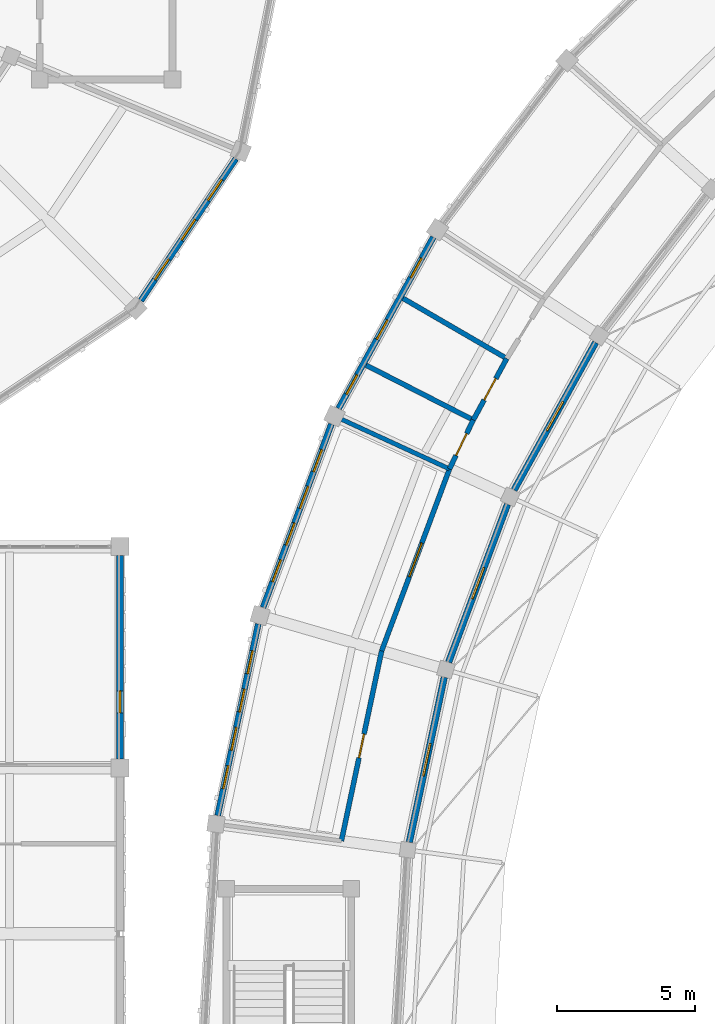
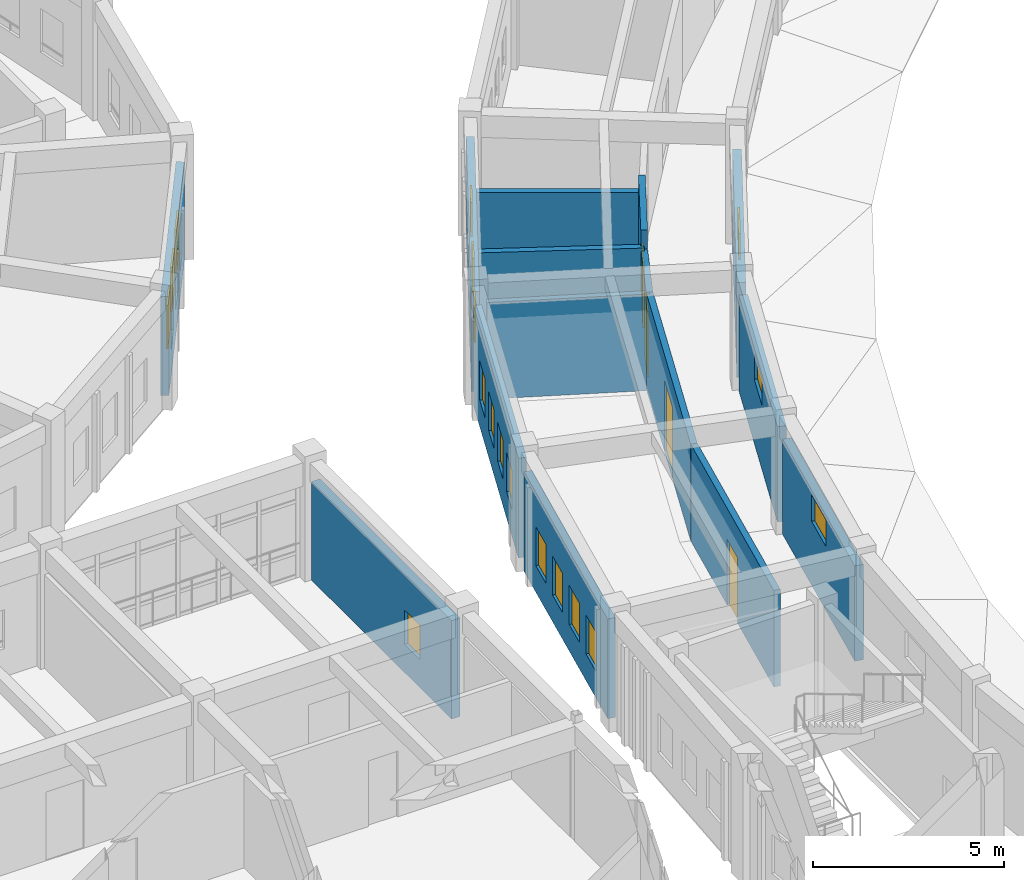
# One storey, part 85 of 112: 18 windows, 15 walls, 4 doors, 22 openings.
"""IFC4 building model written with IfcOpenShell, lengths in metres."""

from ifc_helpers import new_model, si_unit, direction, frame, frame_2d, origin, place, context, subcontext, project, spatial, rectangle, extrude, material, layer, layer_set, type_object, element, fill, save


model = new_model("IFC4")

# Units and contexts
model_context = context("Model", 3, precision=1e-05, world=origin(), true_north=direction((0.0, 1.0)))
body_context = subcontext(model_context, "Body", "Model", "MODEL_VIEW")
ifc_project = project(units=[si_unit("LENGTHUNIT", "METRE"), si_unit("AREAUNIT", "SQUARE_METRE"), si_unit("VOLUMEUNIT", "CUBIC_METRE"), si_unit("PLANEANGLEUNIT", "RADIAN"), si_unit("MASSUNIT", "GRAM", prefix="KILO")], contexts=[model_context])

# Site, building, storey
site_placement = place(None, origin())
site = spatial("IfcSite", under=ifc_project, at=site_placement, CompositionType="ELEMENT")
building_placement = place(site_placement, origin())
building = spatial("IfcBuilding", under=site, at=building_placement, Name="Celadon Cloister-Ring School", CompositionType="ELEMENT")
storey_placement = place(building_placement, frame((0.0, 0.0, 8.5)))
storey = spatial("IfcBuildingStorey", under=building, at=storey_placement, Name="L02", CompositionType="ELEMENT", Elevation=8.5)

# Wall, opening, window
ifc_material_1 = material(Name="Rendered concrete blockwork", Category="masonry")
ifc_layer_1 = layer(ifc_material_1, 0.260009765625)
ifc_layer_set_1 = layer_set([ifc_layer_1], Name="Rendered concrete blockwork")
wall_type_1 = type_object("IfcWallType", Name="WT-EX2", PredefinedType="SOLIDWALL", material=ifc_layer_set_1)
wall_1_placement = place(storey_placement, frame((32.0, 75.673095703125, 0.0), z_axis=(0.0, 0.0, 1.0), x_axis=(0.0, -1.0, 0.0)))
wall_1 = element("IfcWall", 1, at=wall_1_placement, inside=storey, type_object=wall_type_1, Name="Exterior Wall 0517", PredefinedType="SOLIDWALL", context=body_context, shape_type="SweptSolid", body=[
    extrude(rectangle(XDim=7.34619140625, YDim=0.260009765625, at=frame_2d((3.673095703125, 0.0))), origin(), (0.0, 0.0, 1.0), 3.152099609375),
])
opening_1_placement = place(wall_1_placement, frame((4.888916015625, 0.0, 0.89990234375)))
opening_1 = element("IfcOpeningElement", 2, at=opening_1_placement, cuts=wall_1, Name="Opening WN-01", PredefinedType="OPENING", context=body_context, shape_type="SweptSolid", body=[
    extrude(rectangle(XDim=0.800048828125, YDim=1.10009765625, at=frame_2d((0.39990234375, 0.550048828125))), frame((0.0, 0.14013671875, 0.0), z_axis=(0.0, -1.0, 0.0), x_axis=(1.0, 0.0, 0.0)), (0.0, 0.0, 1.0), 0.280029296875),
])
ifc_material_2 = material(Name="Tempered laminated insulating glass", Category="glass")
window_type_1 = type_object("IfcWindowType", Name="WN-01", PartitioningType="SINGLE_PANEL", PredefinedType="WINDOW", material=ifc_material_2)
window_1_placement = place(opening_1_placement, origin())
window_1 = element("IfcWindow", 3, at=window_1_placement, inside=storey, type_object=window_type_1, Name="Window 1004", OverallHeight=1.10009765625, OverallWidth=0.800048828125, PartitioningType="SINGLE_PANEL", PredefinedType="WINDOW", context=body_context, shape_type="SweptSolid", body=[
    extrude(rectangle(XDim=0.800048828125, YDim=1.10009765625, at=frame_2d((0.39990234375, 0.550048828125))), frame((0.0, 0.030029296875, 0.0), z_axis=(0.0, -1.0, 0.0), x_axis=(1.0, 0.0, 0.0)), (0.0, 0.0, 1.0), 0.06005859375),
])
fill(opening_1, window_1)

ifc_material_3 = material(Name="Rendered concrete blockwork", Category="masonry")
ifc_layer_2 = layer(ifc_material_3, 0.239990234375)
ifc_layer_set_2 = layer_set([ifc_layer_2], Name="Rendered concrete blockwork")
wall_type_2 = type_object("IfcWallType", Name="WT-EX3", PredefinedType="SOLIDWALL", material=ifc_layer_set_2)
wall_2_placement = place(storey_placement, frame((49.202880859375, 83.384033203125, 0.0), z_axis=(0.0, 0.0, 1.0), x_axis=(-0.483855739492, -0.875147772299, 0.0)))
wall_2 = element("IfcWall", 4, at=wall_2_placement, inside=storey, type_object=wall_type_2, Name="Exterior Wall 0109", PredefinedType="SOLIDWALL", context=body_context, shape_type="SweptSolid", body=[
    extrude(rectangle(XDim=6.0927734375, YDim=0.239990234375, at=frame_2d((3.04638671875, 0.0))), origin(), (0.0, 0.0, 1.0), 3.050048828125),
])
opening_2_placement = place(wall_2_placement, frame((2.446044921875, 0.0, 2.050048828125)))
opening_2 = element("IfcOpeningElement", 5, at=opening_2_placement, cuts=wall_2, Name="Opening WN-49", PredefinedType="OPENING", context=body_context, shape_type="SweptSolid", body=[
    extrude(rectangle(XDim=1.199951171875, YDim=0.85009765625, at=frame_2d((0.60009765625, 0.425048828125))), frame((0.0, 0.1298828125, 0.0), z_axis=(0.0, -1.0, 0.0), x_axis=(1.0, 0.0, 0.0)), (0.0, 0.0, 1.0), 0.260009765625),
])
ifc_material_4 = material(Name="Tempered laminated insulating glass", Category="glass")
window_type_2 = type_object("IfcWindowType", Name="WN-49", PartitioningType="SINGLE_PANEL", PredefinedType="WINDOW", material=ifc_material_4)
window_2_placement = place(opening_2_placement, origin())
window_2 = element("IfcWindow", 6, at=window_2_placement, inside=storey, type_object=window_type_2, Name="Window 0292", OverallHeight=0.85009765625, OverallWidth=1.199951171875, PartitioningType="SINGLE_PANEL", PredefinedType="WINDOW", context=body_context, shape_type="SweptSolid", body=[
    extrude(rectangle(XDim=1.199951171875, YDim=0.85009765625, at=frame_2d((0.60009765625, 0.425048828125))), frame((0.0, 0.030029296875, 0.0), z_axis=(0.0, -1.0, 0.0), x_axis=(1.0, 0.0, 0.0)), (0.0, 0.0, 1.0), 0.06005859375),
])
fill(opening_2, window_2)

wall_3_placement = place(storey_placement, frame((46.01611328125, 77.531982421875, 0.0), z_axis=(0.0, 0.0, 1.0), x_axis=(-0.349489187494, -0.936940397157, 0.0)))
wall_3 = element("IfcWall", 7, at=wall_3_placement, inside=storey, type_object=wall_type_2, Name="Exterior Wall 0111", PredefinedType="SOLIDWALL", context=body_context, shape_type="SweptSolid", body=[
    extrude(rectangle(XDim=6.09228515625, YDim=0.239990234375, at=frame_2d((3.046142578125, 0.0))), origin(), (0.0, 0.0, 1.0), 3.050048828125),
])
opening_3_placement = place(wall_3_placement, frame((2.446044921875, 0.0, 2.050048828125)))
opening_3 = element("IfcOpeningElement", 8, at=opening_3_placement, cuts=wall_3, Name="Opening WN-49", PredefinedType="OPENING", context=body_context, shape_type="SweptSolid", body=[
    extrude(rectangle(XDim=1.199951171875, YDim=0.85009765625, at=frame_2d((0.60009765625, 0.425048828125))), frame((0.0, 0.1298828125, 0.0), z_axis=(0.0, -1.0, 0.0), x_axis=(1.0, 0.0, 0.0)), (0.0, 0.0, 1.0), 0.260009765625),
])
window_3_placement = place(opening_3_placement, origin())
window_3 = element("IfcWindow", 9, at=window_3_placement, inside=storey, type_object=window_type_2, Name="Window 0297", OverallHeight=0.85009765625, OverallWidth=1.199951171875, PartitioningType="SINGLE_PANEL", PredefinedType="WINDOW", context=body_context, shape_type="SweptSolid", body=[
    extrude(rectangle(XDim=1.199951171875, YDim=0.85009765625, at=frame_2d((0.60009765625, 0.425048828125))), frame((0.0, 0.030029296875, 0.0), z_axis=(0.0, -1.0, 0.0), x_axis=(1.0, 0.0, 0.0)), (0.0, 0.0, 1.0), 0.06005859375),
])
fill(opening_3, window_3)

wall_4_placement = place(storey_placement, frame((43.72802734375, 71.27490234375, 0.0), z_axis=(0.0, 0.0, 1.0), x_axis=(-0.20720336534, -0.978297891949, 0.0)))
wall_4 = element("IfcWall", 10, at=wall_4_placement, inside=storey, type_object=wall_type_2, Name="Exterior Wall 0113", PredefinedType="SOLIDWALL", context=body_context, shape_type="SweptSolid", body=[
    extrude(rectangle(XDim=6.09521484375, YDim=0.239990234375, at=frame_2d((3.047607421875, 0.0))), origin(), (0.0, 0.0, 1.0), 3.050048828125),
])
opening_4_placement = place(wall_4_placement, frame((2.447998046875, 0.0, 2.050048828125)))
opening_4 = element("IfcOpeningElement", 11, at=opening_4_placement, cuts=wall_4, Name="Opening WN-49", PredefinedType="OPENING", context=body_context, shape_type="SweptSolid", body=[
    extrude(rectangle(XDim=1.199951171875, YDim=0.85009765625, at=frame_2d((0.60009765625, 0.425048828125))), frame((0.0, 0.1298828125, 0.0), z_axis=(0.0, -1.0, 0.0), x_axis=(1.0, 0.0, 0.0)), (0.0, 0.0, 1.0), 0.260009765625),
])
window_4_placement = place(opening_4_placement, origin())
window_4 = element("IfcWindow", 12, at=window_4_placement, inside=storey, type_object=window_type_2, Name="Window 0302", OverallHeight=0.85009765625, OverallWidth=1.199951171875, PartitioningType="SINGLE_PANEL", PredefinedType="WINDOW", context=body_context, shape_type="SweptSolid", body=[
    extrude(rectangle(XDim=1.199951171875, YDim=0.85009765625, at=frame_2d((0.60009765625, 0.425048828125))), frame((0.0, 0.030029296875, 0.0), z_axis=(0.0, -1.0, 0.0), x_axis=(1.0, 0.0, 0.0)), (0.0, 0.0, 1.0), 0.06005859375),
])
fill(opening_4, window_4)

# Wall, openings, windows
ifc_material_5 = material(Name="Perforated terracotta clay brick masonry", Category="masonry")
ifc_layer_3 = layer(ifc_material_5, 0.219970703125)
ifc_layer_set_3 = layer_set([ifc_layer_3], Name="Perforated terracotta clay brick masonry")
wall_type_3 = type_object("IfcWallType", Name="WT-EX4", PredefinedType="SOLIDWALL", material=ifc_layer_set_3)
wall_5_placement = place(storey_placement, frame((39.906982421875, 80.998046875, 0.0), z_axis=(0.0, 0.0, 1.0), x_axis=(0.483832760768, 0.875160476489, 0.0)))
wall_5 = element("IfcWall", 13, at=wall_5_placement, inside=storey, type_object=wall_type_3, Name="Exterior Wall 0108", PredefinedType="SOLIDWALL", context=body_context, shape_type="SweptSolid", body=[
    extrude(rectangle(XDim=7.0810546875, YDim=0.219970703125, at=frame_2d((3.54052734375, 0.0))), origin(), (0.0, 0.0, 1.0), 3.19189453125),
])
opening_5_placement = place(wall_5_placement, frame((0.591064453125, 0.0, 1.14990234375)))
opening_5 = element("IfcOpeningElement", 14, at=opening_5_placement, cuts=wall_5, Name="Opening WN-01", PredefinedType="OPENING", context=body_context, shape_type="SweptSolid", body=[
    extrude(rectangle(XDim=0.800048828125, YDim=1.10009765625, at=frame_2d((0.39990234375, 0.550048828125))), frame((0.0, 0.1201171875, 0.0), z_axis=(0.0, -1.0, 0.0), x_axis=(1.0, 0.0, 0.0)), (0.0, 0.0, 1.0), 0.239990234375),
])
opening_6_placement = place(wall_5_placement, frame((2.85693359375, 0.0, 1.14990234375)))
opening_6 = element("IfcOpeningElement", 15, at=opening_6_placement, cuts=wall_5, Name="Opening WN-01", PredefinedType="OPENING", context=body_context, shape_type="SweptSolid", body=[
    extrude(rectangle(XDim=0.800048828125, YDim=1.10009765625, at=frame_2d((0.39990234375, 0.550048828125))), frame((0.0, 0.1201171875, 0.0), z_axis=(0.0, -1.0, 0.0), x_axis=(1.0, 0.0, 0.0)), (0.0, 0.0, 1.0), 0.239990234375),
])
opening_7_placement = place(wall_5_placement, frame((5.406005859375, 0.0, 1.14990234375)))
opening_7 = element("IfcOpeningElement", 16, at=opening_7_placement, cuts=wall_5, Name="Opening WN-01", PredefinedType="OPENING", context=body_context, shape_type="SweptSolid", body=[
    extrude(rectangle(XDim=0.800048828125, YDim=1.10009765625, at=frame_2d((0.39990234375, 0.550048828125))), frame((0.0, 0.1201171875, 0.0), z_axis=(0.0, -1.0, 0.0), x_axis=(1.0, 0.0, 0.0)), (0.0, 0.0, 1.0), 0.239990234375),
])
window_5_placement = place(opening_5_placement, origin())
window_5 = element("IfcWindow", 17, at=window_5_placement, inside=storey, type_object=window_type_1, Name="Window 0289", OverallHeight=1.10009765625, OverallWidth=0.800048828125, PartitioningType="SINGLE_PANEL", PredefinedType="WINDOW", context=body_context, shape_type="SweptSolid", body=[
    extrude(rectangle(XDim=0.800048828125, YDim=1.10009765625, at=frame_2d((0.39990234375, 0.550048828125))), frame((0.0, 0.030029296875, 0.0), z_axis=(0.0, -1.0, 0.0), x_axis=(1.0, 0.0, 0.0)), (0.0, 0.0, 1.0), 0.06005859375),
])
fill(opening_5, window_5)
window_6_placement = place(opening_6_placement, origin())
window_6 = element("IfcWindow", 18, at=window_6_placement, inside=storey, type_object=window_type_1, Name="Window 0290", OverallHeight=1.10009765625, OverallWidth=0.800048828125, PartitioningType="SINGLE_PANEL", PredefinedType="WINDOW", context=body_context, shape_type="SweptSolid", body=[
    extrude(rectangle(XDim=0.800048828125, YDim=1.10009765625, at=frame_2d((0.39990234375, 0.550048828125))), frame((0.0, 0.030029296875, 0.0), z_axis=(0.0, -1.0, 0.0), x_axis=(1.0, 0.0, 0.0)), (0.0, 0.0, 1.0), 0.06005859375),
])
fill(opening_6, window_6)
window_7_placement = place(opening_7_placement, origin())
window_7 = element("IfcWindow", 19, at=window_7_placement, inside=storey, type_object=window_type_1, Name="Window 0291", OverallHeight=1.10009765625, OverallWidth=0.800048828125, PartitioningType="SINGLE_PANEL", PredefinedType="WINDOW", context=body_context, shape_type="SweptSolid", body=[
    extrude(rectangle(XDim=0.800048828125, YDim=1.10009765625, at=frame_2d((0.39990234375, 0.550048828125))), frame((0.0, 0.030029296875, 0.0), z_axis=(0.0, -1.0, 0.0), x_axis=(1.0, 0.0, 0.0)), (0.0, 0.0, 1.0), 0.06005859375),
])
fill(opening_7, window_7)

wall_6_placement = place(storey_placement, frame((37.174072265625, 73.799072265625, 0.0), z_axis=(0.0, 0.0, 1.0), x_axis=(0.349192123714, 0.937051151611, 0.0)))
wall_6 = element("IfcWall", 20, at=wall_6_placement, inside=storey, type_object=wall_type_3, Name="Exterior Wall 0110", PredefinedType="SOLIDWALL", context=body_context, shape_type="SweptSolid", body=[
    extrude(rectangle(XDim=7.081787109375, YDim=0.219970703125, at=frame_2d((3.541015625, 0.0))), origin(), (0.0, 0.0, 1.0), 3.19189453125),
])
opening_8_placement = place(wall_6_placement, frame((0.990966796875, 0.0, 0.85009765625)))
opening_8 = element("IfcOpeningElement", 21, at=opening_8_placement, cuts=wall_6, Name="Opening WN-11", PredefinedType="OPENING", context=body_context, shape_type="SweptSolid", body=[
    extrude(rectangle(XDim=0.85009765625, YDim=1.25, at=frame_2d((0.425048828125, 0.625))), frame((0.0, 0.1201171875, 0.0), z_axis=(0.0, -1.0, 0.0), x_axis=(1.0, 0.0, 0.0)), (0.0, 0.0, 1.0), 0.239990234375),
])
opening_9_placement = place(wall_6_placement, frame((2.407958984375, 0.0, 0.85009765625)))
opening_9 = element("IfcOpeningElement", 22, at=opening_9_placement, cuts=wall_6, Name="Opening WN-11", PredefinedType="OPENING", context=body_context, shape_type="SweptSolid", body=[
    extrude(rectangle(XDim=0.85009765625, YDim=1.25, at=frame_2d((0.425048828125, 0.625))), frame((0.0, 0.1201171875, 0.0), z_axis=(0.0, -1.0, 0.0), x_axis=(1.0, 0.0, 0.0)), (0.0, 0.0, 1.0), 0.239990234375),
])
opening_10_placement = place(wall_6_placement, frame((3.823974609375, 0.0, 0.85009765625)))
opening_10 = element("IfcOpeningElement", 23, at=opening_10_placement, cuts=wall_6, Name="Opening WN-11", PredefinedType="OPENING", context=body_context, shape_type="SweptSolid", body=[
    extrude(rectangle(XDim=0.85009765625, YDim=1.25, at=frame_2d((0.425048828125, 0.625))), frame((0.0, 0.1201171875, 0.0), z_axis=(0.0, -1.0, 0.0), x_axis=(1.0, 0.0, 0.0)), (0.0, 0.0, 1.0), 0.239990234375),
])
opening_11_placement = place(wall_6_placement, frame((5.239990234375, 0.0, 0.85009765625)))
opening_11 = element("IfcOpeningElement", 24, at=opening_11_placement, cuts=wall_6, Name="Opening WN-11", PredefinedType="OPENING", context=body_context, shape_type="SweptSolid", body=[
    extrude(rectangle(XDim=0.85009765625, YDim=1.25, at=frame_2d((0.425048828125, 0.625))), frame((0.0, 0.1201171875, 0.0), z_axis=(0.0, -1.0, 0.0), x_axis=(1.0, 0.0, 0.0)), (0.0, 0.0, 1.0), 0.239990234375),
])
ifc_material_6 = material(Name="Tempered laminated insulating glass", Category="glass")
window_type_3 = type_object("IfcWindowType", Name="WN-11", PartitioningType="SINGLE_PANEL", PredefinedType="WINDOW", material=ifc_material_6)
window_8_placement = place(opening_8_placement, origin())
window_8 = element("IfcWindow", 25, at=window_8_placement, inside=storey, type_object=window_type_3, Name="Window 0293", OverallHeight=1.25, OverallWidth=0.85009765625, PartitioningType="SINGLE_PANEL", PredefinedType="WINDOW", context=body_context, shape_type="SweptSolid", body=[
    extrude(rectangle(XDim=0.85009765625, YDim=1.25, at=frame_2d((0.425048828125, 0.625))), frame((0.0, 0.030029296875, 0.0), z_axis=(0.0, -1.0, 0.0), x_axis=(1.0, 0.0, 0.0)), (0.0, 0.0, 1.0), 0.06005859375),
])
fill(opening_8, window_8)
window_9_placement = place(opening_9_placement, origin())
window_9 = element("IfcWindow", 26, at=window_9_placement, inside=storey, type_object=window_type_3, Name="Window 0294", OverallHeight=1.25, OverallWidth=0.85009765625, PartitioningType="SINGLE_PANEL", PredefinedType="WINDOW", context=body_context, shape_type="SweptSolid", body=[
    extrude(rectangle(XDim=0.85009765625, YDim=1.25, at=frame_2d((0.425048828125, 0.625))), frame((0.0, 0.030029296875, 0.0), z_axis=(0.0, -1.0, 0.0), x_axis=(1.0, 0.0, 0.0)), (0.0, 0.0, 1.0), 0.06005859375),
])
fill(opening_9, window_9)
window_10_placement = place(opening_10_placement, origin())
window_10 = element("IfcWindow", 27, at=window_10_placement, inside=storey, type_object=window_type_3, Name="Window 0295", OverallHeight=1.25, OverallWidth=0.85009765625, PartitioningType="SINGLE_PANEL", PredefinedType="WINDOW", context=body_context, shape_type="SweptSolid", body=[
    extrude(rectangle(XDim=0.85009765625, YDim=1.25, at=frame_2d((0.425048828125, 0.625))), frame((0.0, 0.030029296875, 0.0), z_axis=(0.0, -1.0, 0.0), x_axis=(1.0, 0.0, 0.0)), (0.0, 0.0, 1.0), 0.06005859375),
])
fill(opening_10, window_10)
window_11_placement = place(opening_11_placement, origin())
window_11 = element("IfcWindow", 28, at=window_11_placement, inside=storey, type_object=window_type_3, Name="Window 0296", OverallHeight=1.25, OverallWidth=0.85009765625, PartitioningType="SINGLE_PANEL", PredefinedType="WINDOW", context=body_context, shape_type="SweptSolid", body=[
    extrude(rectangle(XDim=0.85009765625, YDim=1.25, at=frame_2d((0.425048828125, 0.625))), frame((0.0, 0.030029296875, 0.0), z_axis=(0.0, -1.0, 0.0), x_axis=(1.0, 0.0, 0.0)), (0.0, 0.0, 1.0), 0.06005859375),
])
fill(opening_11, window_11)

wall_7_placement = place(storey_placement, frame((35.532958984375, 66.27490234375, 0.0), z_axis=(0.0, 0.0, 1.0), x_axis=(0.207259317734, 0.978286039567, 0.0)))
wall_7 = element("IfcWall", 29, at=wall_7_placement, inside=storey, type_object=wall_type_3, Name="Exterior Wall 0112", PredefinedType="SOLIDWALL", context=body_context, shape_type="SweptSolid", body=[
    extrude(rectangle(XDim=7.0830078125, YDim=0.219970703125, at=frame_2d((3.54150390625, 0.0))), origin(), (0.0, 0.0, 1.0), 3.19189453125),
])
opening_12_placement = place(wall_7_placement, frame((0.991943359375, 0.0, 0.85009765625)))
opening_12 = element("IfcOpeningElement", 30, at=opening_12_placement, cuts=wall_7, Name="Opening WN-11", PredefinedType="OPENING", context=body_context, shape_type="SweptSolid", body=[
    extrude(rectangle(XDim=0.85009765625, YDim=1.25, at=frame_2d((0.425048828125, 0.625))), frame((0.0, 0.1201171875, 0.0), z_axis=(0.0, -1.0, 0.0), x_axis=(1.0, 0.0, 0.0)), (0.0, 0.0, 1.0), 0.239990234375),
])
opening_13_placement = place(wall_7_placement, frame((2.407958984375, 0.0, 0.85009765625)))
opening_13 = element("IfcOpeningElement", 31, at=opening_13_placement, cuts=wall_7, Name="Opening WN-11", PredefinedType="OPENING", context=body_context, shape_type="SweptSolid", body=[
    extrude(rectangle(XDim=0.85009765625, YDim=1.25, at=frame_2d((0.425048828125, 0.625))), frame((0.0, 0.1201171875, 0.0), z_axis=(0.0, -1.0, 0.0), x_axis=(1.0, 0.0, 0.0)), (0.0, 0.0, 1.0), 0.239990234375),
])
opening_14_placement = place(wall_7_placement, frame((3.824951171875, 0.0, 0.85009765625)))
opening_14 = element("IfcOpeningElement", 32, at=opening_14_placement, cuts=wall_7, Name="Opening WN-11", PredefinedType="OPENING", context=body_context, shape_type="SweptSolid", body=[
    extrude(rectangle(XDim=0.85009765625, YDim=1.25, at=frame_2d((0.425048828125, 0.625))), frame((0.0, 0.1201171875, 0.0), z_axis=(0.0, -1.0, 0.0), x_axis=(1.0, 0.0, 0.0)), (0.0, 0.0, 1.0), 0.239990234375),
])
opening_15_placement = place(wall_7_placement, frame((5.240966796875, 0.0, 0.85009765625)))
opening_15 = element("IfcOpeningElement", 33, at=opening_15_placement, cuts=wall_7, Name="Opening WN-11", PredefinedType="OPENING", context=body_context, shape_type="SweptSolid", body=[
    extrude(rectangle(XDim=0.85009765625, YDim=1.25, at=frame_2d((0.425048828125, 0.625))), frame((0.0, 0.1201171875, 0.0), z_axis=(0.0, -1.0, 0.0), x_axis=(1.0, 0.0, 0.0)), (0.0, 0.0, 1.0), 0.239990234375),
])
window_12_placement = place(opening_12_placement, origin())
window_12 = element("IfcWindow", 34, at=window_12_placement, inside=storey, type_object=window_type_3, Name="Window 0298", OverallHeight=1.25, OverallWidth=0.85009765625, PartitioningType="SINGLE_PANEL", PredefinedType="WINDOW", context=body_context, shape_type="SweptSolid", body=[
    extrude(rectangle(XDim=0.85009765625, YDim=1.25, at=frame_2d((0.425048828125, 0.625))), frame((0.0, 0.030029296875, 0.0), z_axis=(0.0, -1.0, 0.0), x_axis=(1.0, 0.0, 0.0)), (0.0, 0.0, 1.0), 0.06005859375),
])
fill(opening_12, window_12)
window_13_placement = place(opening_13_placement, origin())
window_13 = element("IfcWindow", 35, at=window_13_placement, inside=storey, type_object=window_type_3, Name="Window 0299", OverallHeight=1.25, OverallWidth=0.85009765625, PartitioningType="SINGLE_PANEL", PredefinedType="WINDOW", context=body_context, shape_type="SweptSolid", body=[
    extrude(rectangle(XDim=0.85009765625, YDim=1.25, at=frame_2d((0.425048828125, 0.625))), frame((0.0, 0.030029296875, 0.0), z_axis=(0.0, -1.0, 0.0), x_axis=(1.0, 0.0, 0.0)), (0.0, 0.0, 1.0), 0.06005859375),
])
fill(opening_13, window_13)
window_14_placement = place(opening_14_placement, origin())
window_14 = element("IfcWindow", 36, at=window_14_placement, inside=storey, type_object=window_type_3, Name="Window 0300", OverallHeight=1.25, OverallWidth=0.85009765625, PartitioningType="SINGLE_PANEL", PredefinedType="WINDOW", context=body_context, shape_type="SweptSolid", body=[
    extrude(rectangle(XDim=0.85009765625, YDim=1.25, at=frame_2d((0.425048828125, 0.625))), frame((0.0, 0.030029296875, 0.0), z_axis=(0.0, -1.0, 0.0), x_axis=(1.0, 0.0, 0.0)), (0.0, 0.0, 1.0), 0.06005859375),
])
fill(opening_14, window_14)
window_15_placement = place(opening_15_placement, origin())
window_15 = element("IfcWindow", 37, at=window_15_placement, inside=storey, type_object=window_type_3, Name="Window 0301", OverallHeight=1.25, OverallWidth=0.85009765625, PartitioningType="SINGLE_PANEL", PredefinedType="WINDOW", context=body_context, shape_type="SweptSolid", body=[
    extrude(rectangle(XDim=0.85009765625, YDim=1.25, at=frame_2d((0.425048828125, 0.625))), frame((0.0, 0.030029296875, 0.0), z_axis=(0.0, -1.0, 0.0), x_axis=(1.0, 0.0, 0.0)), (0.0, 0.0, 1.0), 0.06005859375),
])
fill(opening_15, window_15)

wall_8_placement = place(storey_placement, frame((36.18505859375, 90.029052734375, 0.0), z_axis=(0.0, 0.0, 1.0), x_axis=(-0.555658736667, -0.831410469242, 0.0)))
wall_8 = element("IfcWall", 38, at=wall_8_placement, inside=storey, type_object=wall_type_3, Name="Exterior Wall 0268", PredefinedType="SOLIDWALL", context=body_context, shape_type="SweptSolid", body=[
    extrude(rectangle(XDim=6.169189453125, YDim=0.219970703125, at=frame_2d((3.08447265625, 0.0))), origin(), (0.0, 0.0, 1.0), 3.172119140625),
])
opening_16_placement = place(wall_8_placement, frame((0.906982421875, 0.0, 0.85009765625)))
opening_16 = element("IfcOpeningElement", 39, at=opening_16_placement, cuts=wall_8, Name="Opening WN-21", PredefinedType="OPENING", context=body_context, shape_type="SweptSolid", body=[
    extrude(rectangle(XDim=0.89990234375, YDim=1.39990234375, at=frame_2d((0.449951171875, 0.699951171875))), frame((0.0, 0.1201171875, 0.0), z_axis=(0.0, -1.0, 0.0), x_axis=(1.0, 0.0, 0.0)), (0.0, 0.0, 1.0), 0.239990234375),
])
opening_17_placement = place(wall_8_placement, frame((2.635009765625, 0.0, 0.85009765625)))
opening_17 = element("IfcOpeningElement", 40, at=opening_17_placement, cuts=wall_8, Name="Opening WN-21", PredefinedType="OPENING", context=body_context, shape_type="SweptSolid", body=[
    extrude(rectangle(XDim=0.89990234375, YDim=1.39990234375, at=frame_2d((0.449951171875, 0.699951171875))), frame((0.0, 0.1201171875, 0.0), z_axis=(0.0, -1.0, 0.0), x_axis=(1.0, 0.0, 0.0)), (0.0, 0.0, 1.0), 0.239990234375),
])
opening_18_placement = place(wall_8_placement, frame((4.362060546875, 0.0, 0.85009765625)))
opening_18 = element("IfcOpeningElement", 41, at=opening_18_placement, cuts=wall_8, Name="Opening WN-21", PredefinedType="OPENING", context=body_context, shape_type="SweptSolid", body=[
    extrude(rectangle(XDim=0.89990234375, YDim=1.39990234375, at=frame_2d((0.449951171875, 0.699951171875))), frame((0.0, 0.1201171875, 0.0), z_axis=(0.0, -1.0, 0.0), x_axis=(1.0, 0.0, 0.0)), (0.0, 0.0, 1.0), 0.239990234375),
])
ifc_material_7 = material(Name="Tempered laminated insulating glass", Category="glass")
window_type_4 = type_object("IfcWindowType", Name="WN-21", PartitioningType="SINGLE_PANEL", PredefinedType="WINDOW", material=ifc_material_7)
window_16_placement = place(opening_16_placement, origin())
window_16 = element("IfcWindow", 42, at=window_16_placement, inside=storey, type_object=window_type_4, Name="Window 0708", OverallHeight=1.39990234375, OverallWidth=0.89990234375, PartitioningType="SINGLE_PANEL", PredefinedType="WINDOW", context=body_context, shape_type="SweptSolid", body=[
    extrude(rectangle(XDim=0.89990234375, YDim=1.39990234375, at=frame_2d((0.449951171875, 0.699951171875))), frame((0.0, 0.030029296875, 0.0), z_axis=(0.0, -1.0, 0.0), x_axis=(1.0, 0.0, 0.0)), (0.0, 0.0, 1.0), 0.06005859375),
])
fill(opening_16, window_16)
window_17_placement = place(opening_17_placement, origin())
window_17 = element("IfcWindow", 43, at=window_17_placement, inside=storey, type_object=window_type_4, Name="Window 0709", OverallHeight=1.39990234375, OverallWidth=0.89990234375, PartitioningType="SINGLE_PANEL", PredefinedType="WINDOW", context=body_context, shape_type="SweptSolid", body=[
    extrude(rectangle(XDim=0.89990234375, YDim=1.39990234375, at=frame_2d((0.449951171875, 0.699951171875))), frame((0.0, 0.030029296875, 0.0), z_axis=(0.0, -1.0, 0.0), x_axis=(1.0, 0.0, 0.0)), (0.0, 0.0, 1.0), 0.06005859375),
])
fill(opening_17, window_17)
window_18_placement = place(opening_18_placement, origin())
window_18 = element("IfcWindow", 44, at=window_18_placement, inside=storey, type_object=window_type_4, Name="Window 0710", OverallHeight=1.39990234375, OverallWidth=0.89990234375, PartitioningType="SINGLE_PANEL", PredefinedType="WINDOW", context=body_context, shape_type="SweptSolid", body=[
    extrude(rectangle(XDim=0.89990234375, YDim=1.39990234375, at=frame_2d((0.449951171875, 0.699951171875))), frame((0.0, 0.030029296875, 0.0), z_axis=(0.0, -1.0, 0.0), x_axis=(1.0, 0.0, 0.0)), (0.0, 0.0, 1.0), 0.06005859375),
])
fill(opening_18, window_18)

# Walls
ifc_material_8 = material(Name="Plastered hollow concrete masonry", Category="masonry")
ifc_layer_4 = layer(ifc_material_8, 0.179931640625)
ifc_layer_set_4 = layer_set([ifc_layer_4], Name="Plastered hollow concrete masonry")
wall_type_4 = type_object("IfcWallType", Name="WT-PT2", PredefinedType="PARTITIONING", material=ifc_layer_set_4)
wall_9_placement = place(storey_placement, frame((45.988037109375, 82.805908203125, 0.0), z_axis=(0.0, 0.0, 1.0), x_axis=(-0.864871773355, 0.501992844225, 0.0)))
element("IfcWall", 45, at=wall_9_placement, inside=storey, type_object=wall_type_4, Name="Interior Wall 0556", PredefinedType="PARTITIONING", context=body_context, shape_type="SweptSolid", body=[
    extrude(rectangle(XDim=4.334716796875, YDim=0.179931640625, at=frame_2d((2.16748046875, 0.0))), origin(), (0.0, 0.0, 1.0), 3.19189453125),
])
wall_10_placement = place(storey_placement, frame((44.777099609375, 80.5830078125, 0.0), z_axis=(0.0, 0.0, 1.0), x_axis=(-0.890397294755, 0.455184201717, 0.0)))
element("IfcWall", 46, at=wall_10_placement, inside=storey, type_object=wall_type_4, Name="Interior Wall 0557", PredefinedType="PARTITIONING", context=body_context, shape_type="SweptSolid", body=[
    extrude(rectangle(XDim=4.35205078125, YDim=0.179931640625, at=frame_2d((2.176025390625, 0.0))), origin(), (0.0, 0.0, 1.0), 3.19189453125),
])

# Wall, opening, door
wall_11_placement = place(storey_placement, frame((45.988037109375, 82.805908203125, 0.0), z_axis=(0.0, 0.0, 1.0), x_axis=(-0.478379038954, -0.878153457597, 0.0)))
wall_11 = element("IfcWall", 47, at=wall_11_placement, inside=storey, type_object=wall_type_4, Name="Interior Wall 0564", PredefinedType="PARTITIONING", context=body_context, shape_type="SweptSolid", body=[
    extrude(rectangle(XDim=2.53125, YDim=0.179931640625, at=frame_2d((1.265625, 0.0))), origin(), (0.0, 0.0, 1.0), 3.699951171875),
])
opening_19_placement = place(wall_11_placement, frame((0.825927734375, 0.0, 0.0)))
opening_19 = element("IfcOpeningElement", 48, at=opening_19_placement, cuts=wall_11, Name="Opening D-0179", PredefinedType="OPENING", context=body_context, shape_type="SweptSolid", body=[
    extrude(rectangle(XDim=0.8798828125, YDim=2.10009765625, at=frame_2d((0.43994140625, 1.050048828125))), frame((0.0, 0.10009765625, 0.0), z_axis=(0.0, -1.0, 0.0), x_axis=(1.0, 0.0, 0.0)), (0.0, 0.0, 1.0), 0.199951171875),
])
ifc_material_9 = material(Name="Solid-core fire-rated hardwood leaf", Category="wood")
door_type_1 = type_object("IfcDoorType", Name="DT-01", OperationType="NOTDEFINED", PredefinedType="DOOR", material=ifc_material_9)
door_1_placement = place(opening_19_placement, origin())
door_1 = element("IfcDoor", 49, at=door_1_placement, inside=storey, type_object=door_type_1, Name="Door D-0179", OperationType="SINGLE_SWING_LEFT", OverallHeight=2.10009765625, OverallWidth=0.8798828125, PredefinedType="DOOR", context=body_context, shape_type="SweptSolid", body=[
    extrude(rectangle(XDim=0.8798828125, YDim=2.10009765625, at=frame_2d((0.43994140625, 1.050048828125))), frame((0.0, 0.02490234375, 0.0), z_axis=(0.0, -1.0, 0.0), x_axis=(1.0, 0.0, 0.0)), (0.0, 0.0, 1.0), 0.050048828125),
])
fill(opening_19, door_1)

wall_12_placement = place(storey_placement, frame((44.777099609375, 80.5830078125, 0.0), z_axis=(0.0, 0.0, 1.0), x_axis=(-0.436866695587, -0.899526258809, 0.0)))
wall_12 = element("IfcWall", 50, at=wall_12_placement, inside=storey, type_object=wall_type_4, Name="Interior Wall 0565", PredefinedType="PARTITIONING", context=body_context, shape_type="SweptSolid", body=[
    extrude(rectangle(XDim=1.96875, YDim=0.179931640625, at=frame_2d((0.984375, 0.0))), origin(), (0.0, 0.0, 1.0), 3.092041015625),
])
opening_20_placement = place(wall_12_placement, frame((0.5439453125, 0.0, 0.0)))
opening_20 = element("IfcOpeningElement", 51, at=opening_20_placement, cuts=wall_12, Name="Opening D-0180", PredefinedType="OPENING", context=body_context, shape_type="SweptSolid", body=[
    extrude(rectangle(XDim=0.8798828125, YDim=2.10009765625, at=frame_2d((0.43994140625, 1.050048828125))), frame((0.0, 0.10009765625, 0.0), z_axis=(0.0, -1.0, 0.0), x_axis=(1.0, 0.0, 0.0)), (0.0, 0.0, 1.0), 0.199951171875),
])
door_2_placement = place(opening_20_placement, origin())
door_2 = element("IfcDoor", 52, at=door_2_placement, inside=storey, type_object=door_type_1, Name="Door D-0180", OperationType="SINGLE_SWING_RIGHT", OverallHeight=2.10009765625, OverallWidth=0.8798828125, PredefinedType="DOOR", context=body_context, shape_type="SweptSolid", body=[
    extrude(rectangle(XDim=0.8798828125, YDim=2.10009765625, at=frame_2d((0.43994140625, 1.050048828125))), frame((0.0, 0.02490234375, 0.0), z_axis=(0.0, -1.0, 0.0), x_axis=(1.0, 0.0, 0.0)), (0.0, 0.0, 1.0), 0.050048828125),
])
fill(opening_20, door_2)

wall_13_placement = place(storey_placement, frame((43.9169921875, 78.81201171875, 0.0), z_axis=(0.0, 0.0, 1.0), x_axis=(-0.349355556836, -0.936990232024, 0.0)))
wall_13 = element("IfcWall", 53, at=wall_13_placement, inside=storey, type_object=wall_type_4, Name="Interior Wall 0566", PredefinedType="PARTITIONING", context=body_context, shape_type="SweptSolid", body=[
    extrude(rectangle(XDim=7.024658203125, YDim=0.179931640625, at=frame_2d((3.51220703125, 0.0))), origin(), (0.0, 0.0, 1.0), 3.092041015625),
])
opening_21_placement = place(wall_13_placement, frame((2.862060546875, 0.0, 0.0)))
opening_21 = element("IfcOpeningElement", 54, at=opening_21_placement, cuts=wall_13, Name="Opening D-0181", PredefinedType="OPENING", context=body_context, shape_type="SweptSolid", body=[
    extrude(rectangle(XDim=1.300048828125, YDim=2.280029296875, at=frame_2d((0.64990234375, 1.14013671875))), frame((0.0, 0.10009765625, 0.0), z_axis=(0.0, -1.0, 0.0), x_axis=(1.0, 0.0, 0.0)), (0.0, 0.0, 1.0), 0.199951171875),
])
ifc_material_10 = material(Name="Galvanised fire-rated hollow steel leaf", Category="steel")
door_type_2 = type_object("IfcDoorType", Name="DT-16", OperationType="NOTDEFINED", PredefinedType="DOOR", material=ifc_material_10)
door_3_placement = place(opening_21_placement, origin())
door_3 = element("IfcDoor", 55, at=door_3_placement, inside=storey, type_object=door_type_2, Name="Door D-0181", OperationType="SINGLE_SWING_LEFT", OverallHeight=2.280029296875, OverallWidth=1.300048828125, PredefinedType="DOOR", context=body_context, shape_type="SweptSolid", body=[
    extrude(rectangle(XDim=1.300048828125, YDim=2.280029296875, at=frame_2d((0.64990234375, 1.14013671875))), frame((0.0, 0.02490234375, 0.0), z_axis=(0.0, -1.0, 0.0), x_axis=(1.0, 0.0, 0.0)), (0.0, 0.0, 1.0), 0.050048828125),
])
fill(opening_21, door_3)

wall_14_placement = place(storey_placement, frame((41.462890625, 72.22998046875, 0.0), z_axis=(0.0, 0.0, 1.0), x_axis=(-0.207083965241, -0.978323173261, 0.0)))
wall_14 = element("IfcWall", 56, at=wall_14_placement, inside=storey, type_object=wall_type_4, Name="Interior Wall 0567", PredefinedType="PARTITIONING", context=body_context, shape_type="SweptSolid", body=[
    extrude(rectangle(XDim=7.025390625, YDim=0.179931640625, at=frame_2d((3.5126953125, 0.0))), origin(), (0.0, 0.0, 1.0), 3.092041015625),
])
opening_22_placement = place(wall_14_placement, frame((3.072998046875, 0.0, 0.0)))
opening_22 = element("IfcOpeningElement", 57, at=opening_22_placement, cuts=wall_14, Name="Opening D-0182", PredefinedType="OPENING", context=body_context, shape_type="SweptSolid", body=[
    extrude(rectangle(XDim=0.8798828125, YDim=2.10009765625, at=frame_2d((0.43994140625, 1.050048828125))), frame((0.0, 0.10009765625, 0.0), z_axis=(0.0, -1.0, 0.0), x_axis=(1.0, 0.0, 0.0)), (0.0, 0.0, 1.0), 0.199951171875),
])
door_4_placement = place(opening_22_placement, origin())
door_4 = element("IfcDoor", 58, at=door_4_placement, inside=storey, type_object=door_type_1, Name="Door D-0182", OperationType="SINGLE_SWING_RIGHT", OverallHeight=2.10009765625, OverallWidth=0.8798828125, PredefinedType="DOOR", context=body_context, shape_type="SweptSolid", body=[
    extrude(rectangle(XDim=0.8798828125, YDim=2.10009765625, at=frame_2d((0.43994140625, 1.050048828125))), frame((0.0, 0.02490234375, 0.0), z_axis=(0.0, -1.0, 0.0), x_axis=(1.0, 0.0, 0.0)), (0.0, 0.0, 1.0), 0.050048828125),
])
fill(opening_22, door_4)

# Wall
ifc_material_11 = material(Name="Plastered hollow concrete masonry", Category="masonry")
ifc_layer_5 = layer(ifc_material_11, 0.159912109375)
ifc_layer_set_5 = layer_set([ifc_layer_5], Name="Plastered hollow concrete masonry")
wall_type_5 = type_object("IfcWallType", Name="WT-PT3", PredefinedType="PARTITIONING", material=ifc_layer_set_5)
wall_15_placement = place(storey_placement, frame((43.9169921875, 78.81201171875, 0.0), z_axis=(0.0, 0.0, 1.0), x_axis=(-0.908505150055, 0.417873655934, 0.0)))
element("IfcWall", 59, at=wall_15_placement, inside=storey, type_object=wall_type_5, Name="Interior Wall 0539", PredefinedType="PARTITIONING", context=body_context, shape_type="SweptSolid", body=[
    extrude(rectangle(XDim=4.288330078125, YDim=0.159912109375, at=frame_2d((2.14404296875, 0.0))), origin(), (0.0, 0.0, 1.0), 3.092041015625),
])

save(model, "model.ifc")
